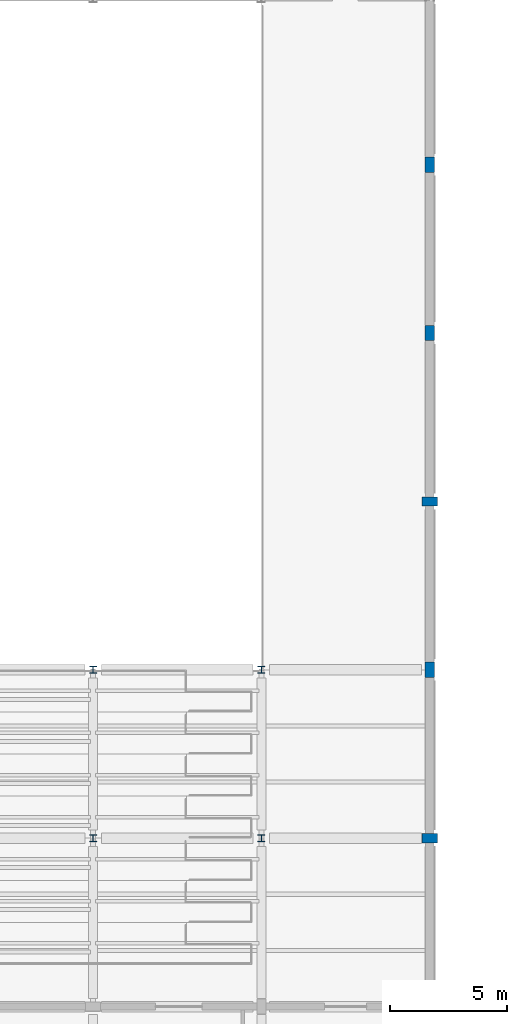
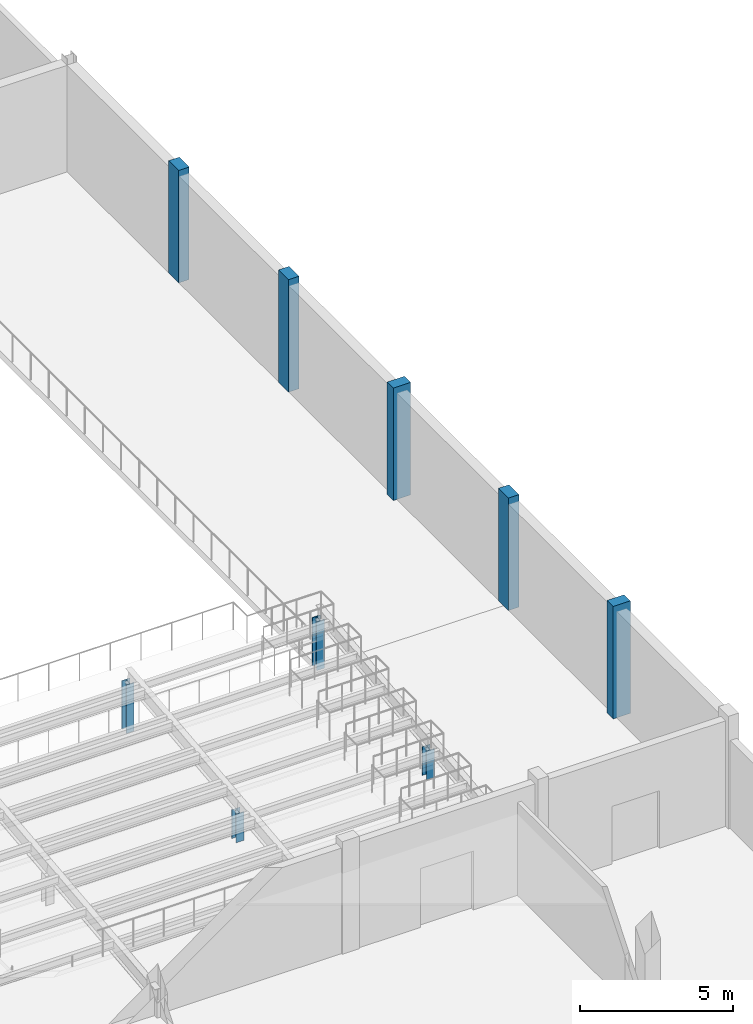
# One storey, part 3 of 105: 9 columns.
"""IFC4 building model written with IfcOpenShell, lengths in metres."""

from ifc_helpers import new_model, si_unit, direction, frame, origin, origin_2d, place, context, subcontext, project, spatial, rectangle, i_section, extrude, material, material_profile, profile_set, type_object, element, save


model = new_model("IFC4")

# Units and contexts
model_context = context("Model", 3, precision=1e-05, world=origin(), true_north=direction((0.0, 1.0)))
body_context = subcontext(model_context, "Body", "Model", "MODEL_VIEW")
ifc_project = project(units=[si_unit("LENGTHUNIT", "METRE"), si_unit("AREAUNIT", "SQUARE_METRE"), si_unit("VOLUMEUNIT", "CUBIC_METRE"), si_unit("PLANEANGLEUNIT", "RADIAN"), si_unit("MASSUNIT", "GRAM", prefix="KILO"), si_unit("THERMODYNAMICTEMPERATUREUNIT", "KELVIN"), si_unit("POWERUNIT", "WATT")], contexts=[model_context])

# Site, building, storey
site_placement = place(None, origin())
site = spatial("IfcSite", under=ifc_project, at=site_placement, CompositionType="ELEMENT")
building_placement = place(site_placement, origin())
building = spatial("IfcBuilding", under=site, at=building_placement, Name="Kaldorven Railside Theatre", CompositionType="ELEMENT")
storey_placement = place(building_placement, frame((0.0, 0.0, 9.89990234375)))
storey = spatial("IfcBuildingStorey", under=building, at=storey_placement, Name="L02", CompositionType="ELEMENT", Elevation=9.89990234375)

# Columns
ifc_material_1 = material(Name="Steel S355", Category="steel")
ifc_material_profile_1 = material_profile(ifc_material_1, i_section(OverallWidth=0.300048828125, OverallDepth=0.300048828125, WebThickness=0.010986328125, FlangeThickness=0.01904296875, at=origin_2d()), Name="HEB 300")
ifc_profile_set_1 = profile_set([ifc_material_profile_1], Name="Steel S355")
column_type_1 = type_object("IfcColumnType", Name="COL-HEB300", PredefinedType="COLUMN", material=ifc_profile_set_1)
column_1_placement = place(storey_placement, frame((108.800048828125, 48.0, 0.0), z_axis=(0.0, 0.0, 1.0), x_axis=(1.0, 0.0, 0.0)))
element("IfcColumn", 1, at=column_1_placement, inside=storey, type_object=column_type_1, Name="Raker Support Stanchion V1U-3-02", PredefinedType="COLUMN", context=body_context, shape_type="SweptSolid", body=[
    extrude(i_section(OverallWidth=0.300048828125, OverallDepth=0.300048828125, WebThickness=0.010986328125, FlangeThickness=0.01904296875, at=origin_2d()), origin(), (0.0, 0.0, 1.0), 1.14501953125),
])
column_2_placement = place(storey_placement, frame((108.800048828125, 55.199951171875, 0.0), z_axis=(0.0, 0.0, 1.0), x_axis=(1.0, 0.0, 0.0)))
element("IfcColumn", 2, at=column_2_placement, inside=storey, type_object=column_type_1, Name="Raker Support Stanchion V1U-3-03", PredefinedType="COLUMN", context=body_context, shape_type="SweptSolid", body=[
    extrude(i_section(OverallWidth=0.300048828125, OverallDepth=0.300048828125, WebThickness=0.010986328125, FlangeThickness=0.01904296875, at=origin_2d()), origin(), (0.0, 0.0, 1.0), 1.945068359375),
])
column_3_placement = place(storey_placement, frame((116.0, 48.0, 0.0), z_axis=(0.0, 0.0, 1.0), x_axis=(1.0, 0.0, 0.0)))
element("IfcColumn", 3, at=column_3_placement, inside=storey, type_object=column_type_1, Name="Raker Support Stanchion V1U-4-02", PredefinedType="COLUMN", context=body_context, shape_type="SweptSolid", body=[
    extrude(i_section(OverallWidth=0.300048828125, OverallDepth=0.300048828125, WebThickness=0.010986328125, FlangeThickness=0.01904296875, at=origin_2d()), origin(), (0.0, 0.0, 1.0), 1.14501953125),
])
column_4_placement = place(storey_placement, frame((116.0, 55.199951171875, 0.0), z_axis=(0.0, 0.0, 1.0), x_axis=(1.0, 0.0, 0.0)))
element("IfcColumn", 4, at=column_4_placement, inside=storey, type_object=column_type_1, Name="Raker Support Stanchion V1U-4-03", PredefinedType="COLUMN", context=body_context, shape_type="SweptSolid", body=[
    extrude(i_section(OverallWidth=0.300048828125, OverallDepth=0.300048828125, WebThickness=0.010986328125, FlangeThickness=0.01904296875, at=origin_2d()), origin(), (0.0, 0.0, 1.0), 1.945068359375),
])
ifc_material_2 = material(Name="Architectural concrete C40/50", Category="concrete")
ifc_material_profile_2 = material_profile(ifc_material_2, rectangle(XDim=0.39990234375, YDim=0.64990234375, at=origin_2d()), Name="RC 400x650")
ifc_profile_set_2 = profile_set([ifc_material_profile_2], Name="Architectural concrete C40/50")
column_type_2 = type_object("IfcColumnType", Name="COL-PIER650", PredefinedType="PILASTER", material=ifc_profile_set_2)
for number, where, z_axis, x_axis, name in (
    (5, (123.199951171875, 48.0, 0.0), (0.0, 0.0, 1.0), (0.0, 1.0, 0.0), "L02 Column CG-L02-123-048"),
    (6, (123.199951171875, 55.199951171875, 0.0), (0.0, 0.0, 1.0), (1.0, 0.0, 0.0), "L02 Column CG-L02-123-055"),
    (7, (123.199951171875, 62.39990234375, 0.0), (0.0, 0.0, 1.0), (0.0, 1.0, 0.0), "L02 Column CG-L02-123-062"),
    (8, (123.199951171875, 69.60009765625, 0.0), (0.0, 0.0, 1.0), (1.0, 0.0, 0.0), "L02 Column CG-L02-123-069"),
    (9, (123.199951171875, 76.800048828125, 0.0), (0.0, 0.0, 1.0), (1.0, 0.0, 0.0), "L02 Column CG-L02-123-076"),
):
    element("IfcColumn", number, at=place(storey_placement, frame(where, z_axis=z_axis, x_axis=x_axis)), inside=storey, type_object=column_type_2, Name=name, PredefinedType="PILASTER", context=body_context, shape_type="SweptSolid", body=[
        extrude(rectangle(XDim=0.39990234375, YDim=0.64990234375, at=origin_2d()), origin(), (0.0, 0.0, 1.0), 4.5),
    ])

save(model, "model.ifc")
